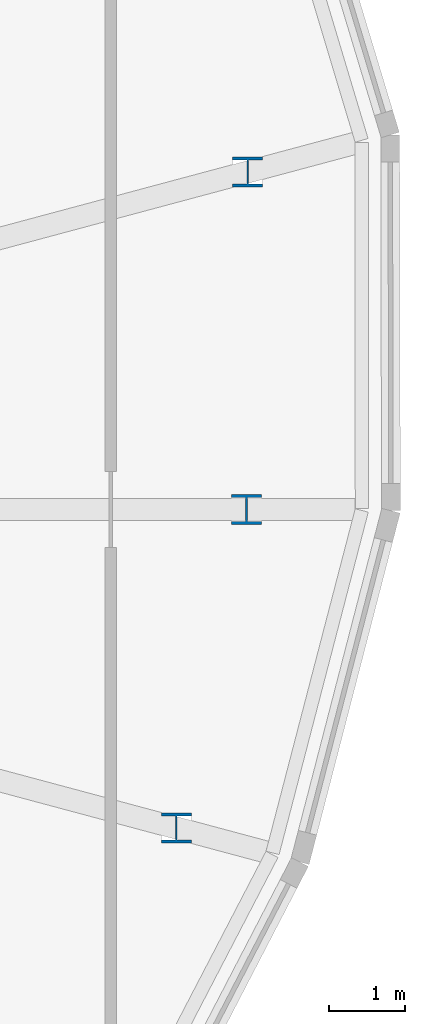
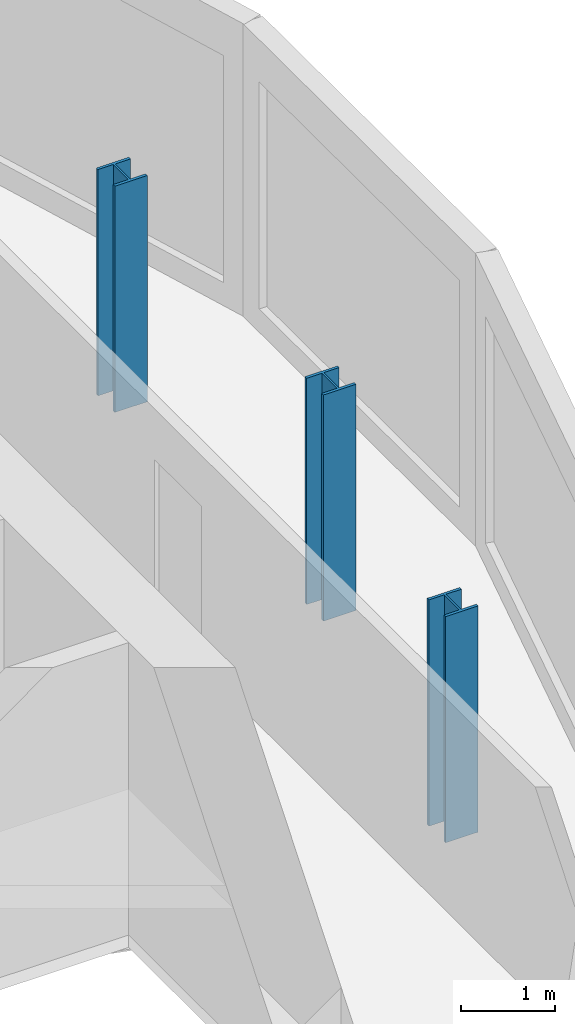
# One storey, part 2 of 38: 3 columns.
"""IFC4 building model written with IfcOpenShell, lengths in metres."""

from ifc_helpers import new_model, si_unit, direction, frame, origin, origin_2d, place, context, subcontext, project, spatial, i_section, extrude, material, material_profile, profile_set, type_object, element, save


model = new_model("IFC4")

# Units and contexts
model_context = context("Model", 3, precision=1e-05, world=origin(), true_north=direction((0.0, 1.0)))
body_context = subcontext(model_context, "Body", "Model", "MODEL_VIEW")
ifc_project = project(units=[si_unit("LENGTHUNIT", "METRE"), si_unit("AREAUNIT", "SQUARE_METRE"), si_unit("VOLUMEUNIT", "CUBIC_METRE"), si_unit("PLANEANGLEUNIT", "RADIAN"), si_unit("MASSUNIT", "GRAM", prefix="KILO")], contexts=[model_context])

# Site, building, storey
site_placement = place(None, origin())
site = spatial("IfcSite", under=ifc_project, at=site_placement, CompositionType="ELEMENT")
building_placement = place(site_placement, origin())
building = spatial("IfcBuilding", under=site, at=building_placement, Name="Rimbun Link Towers", CompositionType="ELEMENT")
storey_placement = place(building_placement, frame((0.0, 0.0, 123.39990234375)))
storey = spatial("IfcBuildingStorey", under=building, at=storey_placement, Name="L30", CompositionType="ELEMENT", Elevation=123.39990234375)

# Columns
ifc_material = material(Name="Steel S355J2", Category="steel")
ifc_material_profile = material_profile(ifc_material, i_section(OverallWidth=0.39892578125, OverallDepth=0.3935546875, WebThickness=0.022705078125, FlangeThickness=0.03662109375, at=origin_2d()), Name="UC 356x406x287")
ifc_profile_set = profile_set([ifc_material_profile], Name="Steel S355J2")
column_type = type_object("IfcColumnType", Name="UC 356x406x287", PredefinedType="COLUMN", material=ifc_profile_set)
for number, where, z_axis, x_axis, name in (
    (1, (47.467041015625, -4.21142578125, -0.159912109375), (0.0, 0.0, 1.0), (1.0, 0.0, 0.0), "Crease post T2 L30 20"),
    (2, (48.3955078125, 0.0, -0.159912109375), (0.0, 0.0, 1.0), (1.0, 0.0, 0.0), "Crease post T2 L30 21"),
    (3, (48.409912109375, 4.464111328125, -0.159912109375), (0.0, 0.0, 1.0), (1.0, 0.0, 0.0), "Crease post T2 L30 22"),
):
    element("IfcColumn", number, at=place(storey_placement, frame(where, z_axis=z_axis, x_axis=x_axis)), inside=storey, type_object=column_type, Name=name, PredefinedType="COLUMN", context=body_context, shape_type="SweptSolid", body=[
        extrude(i_section(OverallWidth=0.39892578125, OverallDepth=0.3935546875, WebThickness=0.022705078125, FlangeThickness=0.03662109375, at=origin_2d()), origin(), (0.0, 0.0, 1.0), 2.939208984375),
    ])

save(model, "model.ifc")
